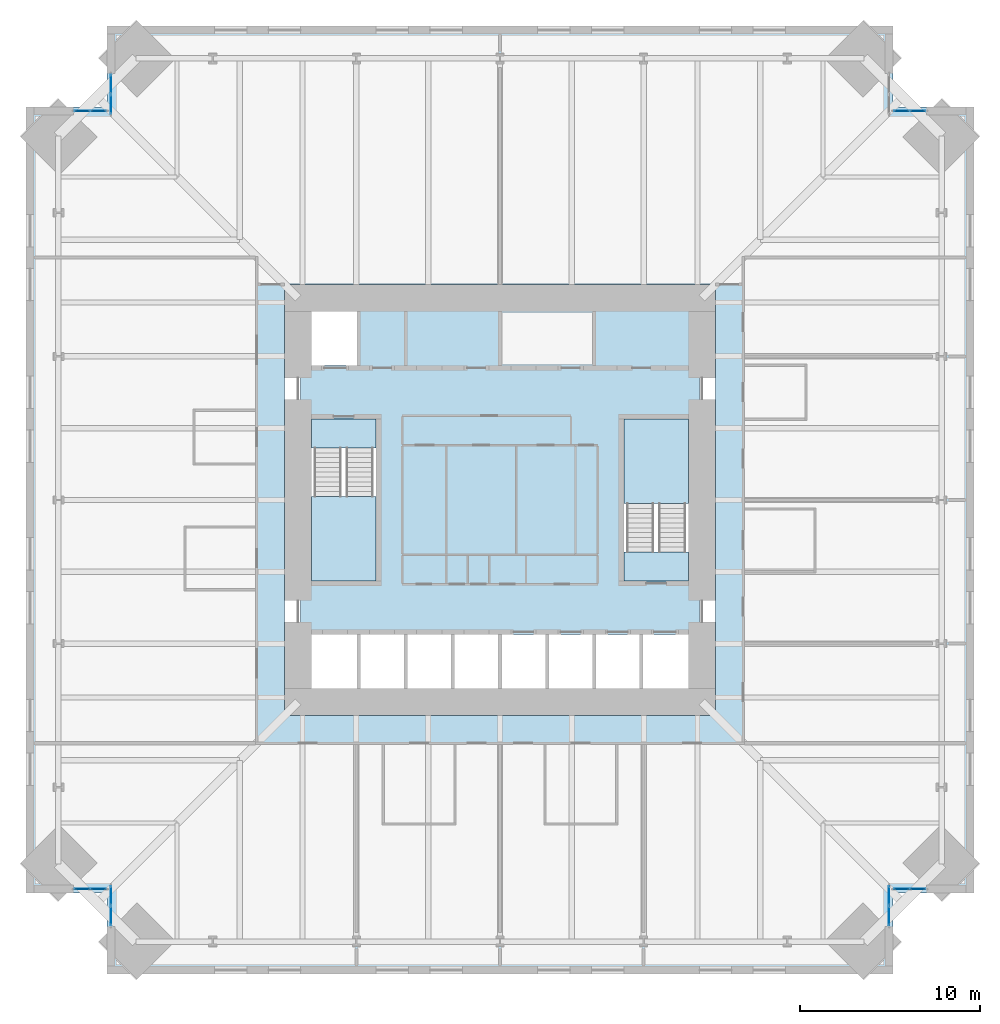
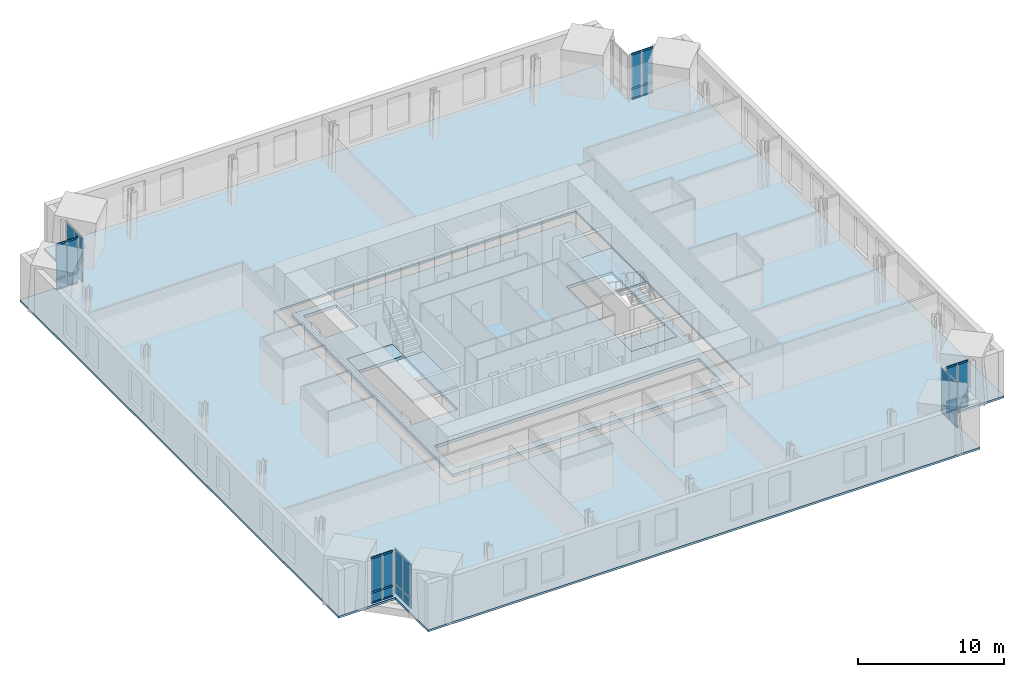
# One storey, part 12 of 18: 28 plates, 24 members, 6 slabs, 9 elements without a shape of their own.
"""IFC4 building model written with IfcOpenShell, lengths in metres."""

from ifc_helpers import new_model, si_unit, direction, frame, origin, origin_2d, place, context, subcontext, project, spatial, polyline, rectangle, hollow_rectangle, outline, extrude, material, layer, layer_set, material_profile, profile_set, type_object, element, aggregate, save


model = new_model("IFC4")

# Units and contexts
model_context = context("Model", 3, precision=1e-05, world=origin(), true_north=direction((0.0, 1.0)))
body_context = subcontext(model_context, "Body", "Model", "MODEL_VIEW")
ifc_project = project(units=[si_unit("LENGTHUNIT", "METRE"), si_unit("AREAUNIT", "SQUARE_METRE"), si_unit("VOLUMEUNIT", "CUBIC_METRE"), si_unit("PLANEANGLEUNIT", "RADIAN"), si_unit("MASSUNIT", "GRAM", prefix="KILO")], contexts=[model_context])

# Site, building, storey
site_placement = place(None, origin())
site = spatial("IfcSite", under=ifc_project, at=site_placement, CompositionType="ELEMENT")
building_placement = place(site_placement, origin())
building = spatial("IfcBuilding", under=site, at=building_placement, Name="Peilmerk Tower", CompositionType="ELEMENT")
storey_placement = place(building_placement, frame((0.0, 0.0, 155.800048828125)))
storey = spatial("IfcBuildingStorey", under=building, at=storey_placement, Name="L32", CompositionType="ELEMENT", Elevation=155.800048828125)

# Curtain wall, members
ifc_material_1 = material(Name="Aluminium stick curtain wall", Category="aluminium")
curtain_wall_type = type_object("IfcCurtainWallType", Name="CW3 stick curtain wall, 2250 module", PredefinedType="NOTDEFINED", material=ifc_material_1)
curtain_wall_1_placement = place(storey_placement, origin())
curtain_wall_1 = element("IfcCurtainWall", 1, at=curtain_wall_1_placement, inside=storey, type_object=curtain_wall_type, Name="Curtain wall CW3 NEB L32", PredefinedType="NOTDEFINED")
ifc_material_2 = material(Name="Aluminium EN AW-6063 T6", Category="aluminium")
ifc_material_profile = material_profile(ifc_material_2, hollow_rectangle(XDim=0.06494140625, YDim=0.14990234375, WallThickness=0.0029296875, at=origin_2d()), Name="AL 150x65x3")
ifc_profile_set = profile_set([ifc_material_profile], Name="Aluminium EN AW-6063 T6")
member_type = type_object("IfcMemberType", Name="CW3-T AL 150x65x3 transom", PredefinedType="USERDEFINED", material=ifc_profile_set)
member_1_placement = place(storey_placement, frame((21.965087890625, 21.675048828125, 0.032470703125), z_axis=(1.0, 0.0, 0.0), x_axis=(0.0, 1.0, 0.0)))
member_1 = element("IfcMember", 2, at=member_1_placement, type_object=member_type, Name="CW3 transom 1.1", ObjectType="TRANSOM", PredefinedType="USERDEFINED", context=body_context, shape_type="SweptSolid", body=[
    extrude(hollow_rectangle(XDim=0.06494140625, YDim=0.14990234375, WallThickness=0.0029296875, at=origin_2d()), origin(), (0.0, 0.0, 1.0), 0.82177734375),
])
member_2_placement = place(storey_placement, frame((21.965087890625, 21.675048828125, 0.89990234375), z_axis=(1.0, 0.0, 0.0), x_axis=(0.0, 1.0, 0.0)))
member_2 = element("IfcMember", 3, at=member_2_placement, type_object=member_type, Name="CW3 transom 1.2", ObjectType="TRANSOM", PredefinedType="USERDEFINED", context=body_context, shape_type="SweptSolid", body=[
    extrude(hollow_rectangle(XDim=0.06494140625, YDim=0.14990234375, WallThickness=0.0029296875, at=origin_2d()), origin(), (0.0, 0.0, 1.0), 0.82177734375),
])
member_3_placement = place(storey_placement, frame((21.965087890625, 21.675048828125, 3.79736328125), z_axis=(1.0, 0.0, 0.0), x_axis=(0.0, 1.0, 0.0)))
member_3 = element("IfcMember", 4, at=member_3_placement, type_object=member_type, Name="CW3 transom 1.3", ObjectType="TRANSOM", PredefinedType="USERDEFINED", context=body_context, shape_type="SweptSolid", body=[
    extrude(hollow_rectangle(XDim=0.06494140625, YDim=0.14990234375, WallThickness=0.0029296875, at=origin_2d()), origin(), (0.0, 0.0, 1.0), 0.82177734375),
])
member_4_placement = place(storey_placement, frame((22.851806640625, 21.675048828125, 0.032470703125), z_axis=(1.0, 0.0, 0.0), x_axis=(0.0, 1.0, 0.0)))
member_4 = element("IfcMember", 5, at=member_4_placement, type_object=member_type, Name="CW3 transom 2.1", ObjectType="TRANSOM", PredefinedType="USERDEFINED", context=body_context, shape_type="SweptSolid", body=[
    extrude(hollow_rectangle(XDim=0.06494140625, YDim=0.14990234375, WallThickness=0.0029296875, at=origin_2d()), origin(), (0.0, 0.0, 1.0), 0.82177734375),
])
member_5_placement = place(storey_placement, frame((22.851806640625, 21.675048828125, 0.89990234375), z_axis=(1.0, 0.0, 0.0), x_axis=(0.0, 1.0, 0.0)))
member_5 = element("IfcMember", 6, at=member_5_placement, type_object=member_type, Name="CW3 transom 2.2", ObjectType="TRANSOM", PredefinedType="USERDEFINED", context=body_context, shape_type="SweptSolid", body=[
    extrude(hollow_rectangle(XDim=0.06494140625, YDim=0.14990234375, WallThickness=0.0029296875, at=origin_2d()), origin(), (0.0, 0.0, 1.0), 0.82177734375),
])
member_6_placement = place(storey_placement, frame((22.851806640625, 21.675048828125, 3.79736328125), z_axis=(1.0, 0.0, 0.0), x_axis=(0.0, 1.0, 0.0)))
member_6 = element("IfcMember", 7, at=member_6_placement, type_object=member_type, Name="CW3 transom 2.3", ObjectType="TRANSOM", PredefinedType="USERDEFINED", context=body_context, shape_type="SweptSolid", body=[
    extrude(hollow_rectangle(XDim=0.06494140625, YDim=0.14990234375, WallThickness=0.0029296875, at=origin_2d()), origin(), (0.0, 0.0, 1.0), 0.82177734375),
])

curtain_wall_2_placement = place(storey_placement, origin())
curtain_wall_2 = element("IfcCurtainWall", 8, at=curtain_wall_2_placement, inside=storey, type_object=curtain_wall_type, Name="Curtain wall CW3 SEB L32", PredefinedType="NOTDEFINED")
member_7_placement = place(storey_placement, frame((21.965087890625, -21.675048828125, 0.032470703125), z_axis=(1.0, 0.0, 0.0), x_axis=(0.0, 1.0, 0.0)))
member_7 = element("IfcMember", 9, at=member_7_placement, type_object=member_type, Name="CW3 transom 1.1", ObjectType="TRANSOM", PredefinedType="USERDEFINED", context=body_context, shape_type="SweptSolid", body=[
    extrude(hollow_rectangle(XDim=0.06494140625, YDim=0.14990234375, WallThickness=0.0029296875, at=origin_2d()), origin(), (0.0, 0.0, 1.0), 0.82177734375),
])
member_8_placement = place(storey_placement, frame((21.965087890625, -21.675048828125, 0.89990234375), z_axis=(1.0, 0.0, 0.0), x_axis=(0.0, 1.0, 0.0)))
member_8 = element("IfcMember", 10, at=member_8_placement, type_object=member_type, Name="CW3 transom 1.2", ObjectType="TRANSOM", PredefinedType="USERDEFINED", context=body_context, shape_type="SweptSolid", body=[
    extrude(hollow_rectangle(XDim=0.06494140625, YDim=0.14990234375, WallThickness=0.0029296875, at=origin_2d()), origin(), (0.0, 0.0, 1.0), 0.82177734375),
])
member_9_placement = place(storey_placement, frame((21.965087890625, -21.675048828125, 3.79736328125), z_axis=(1.0, 0.0, 0.0), x_axis=(0.0, 1.0, 0.0)))
member_9 = element("IfcMember", 11, at=member_9_placement, type_object=member_type, Name="CW3 transom 1.3", ObjectType="TRANSOM", PredefinedType="USERDEFINED", context=body_context, shape_type="SweptSolid", body=[
    extrude(hollow_rectangle(XDim=0.06494140625, YDim=0.14990234375, WallThickness=0.0029296875, at=origin_2d()), origin(), (0.0, 0.0, 1.0), 0.82177734375),
])
member_10_placement = place(storey_placement, frame((22.851806640625, -21.675048828125, 0.032470703125), z_axis=(1.0, 0.0, 0.0), x_axis=(0.0, 1.0, 0.0)))
member_10 = element("IfcMember", 12, at=member_10_placement, type_object=member_type, Name="CW3 transom 2.1", ObjectType="TRANSOM", PredefinedType="USERDEFINED", context=body_context, shape_type="SweptSolid", body=[
    extrude(hollow_rectangle(XDim=0.06494140625, YDim=0.14990234375, WallThickness=0.0029296875, at=origin_2d()), origin(), (0.0, 0.0, 1.0), 0.82177734375),
])
member_11_placement = place(storey_placement, frame((22.851806640625, -21.675048828125, 0.89990234375), z_axis=(1.0, 0.0, 0.0), x_axis=(0.0, 1.0, 0.0)))
member_11 = element("IfcMember", 13, at=member_11_placement, type_object=member_type, Name="CW3 transom 2.2", ObjectType="TRANSOM", PredefinedType="USERDEFINED", context=body_context, shape_type="SweptSolid", body=[
    extrude(hollow_rectangle(XDim=0.06494140625, YDim=0.14990234375, WallThickness=0.0029296875, at=origin_2d()), origin(), (0.0, 0.0, 1.0), 0.82177734375),
])
member_12_placement = place(storey_placement, frame((22.851806640625, -21.675048828125, 3.79736328125), z_axis=(1.0, 0.0, 0.0), x_axis=(0.0, 1.0, 0.0)))
member_12 = element("IfcMember", 14, at=member_12_placement, type_object=member_type, Name="CW3 transom 2.3", ObjectType="TRANSOM", PredefinedType="USERDEFINED", context=body_context, shape_type="SweptSolid", body=[
    extrude(hollow_rectangle(XDim=0.06494140625, YDim=0.14990234375, WallThickness=0.0029296875, at=origin_2d()), origin(), (0.0, 0.0, 1.0), 0.82177734375),
])

curtain_wall_3_placement = place(storey_placement, origin())
curtain_wall_3 = element("IfcCurtainWall", 15, at=curtain_wall_3_placement, inside=storey, type_object=curtain_wall_type, Name="Curtain wall CW3 SWB L32", PredefinedType="NOTDEFINED")
member_13_placement = place(storey_placement, frame((-21.965087890625, -21.675048828125, 0.032470703125), z_axis=(-1.0, 0.0, 0.0), x_axis=(0.0, -1.0, 0.0)))
member_13 = element("IfcMember", 16, at=member_13_placement, type_object=member_type, Name="CW3 transom 1.1", ObjectType="TRANSOM", PredefinedType="USERDEFINED", context=body_context, shape_type="SweptSolid", body=[
    extrude(hollow_rectangle(XDim=0.06494140625, YDim=0.14990234375, WallThickness=0.0029296875, at=origin_2d()), origin(), (0.0, 0.0, 1.0), 0.82177734375),
])
member_14_placement = place(storey_placement, frame((-21.965087890625, -21.675048828125, 0.89990234375), z_axis=(-1.0, 0.0, 0.0), x_axis=(0.0, -1.0, 0.0)))
member_14 = element("IfcMember", 17, at=member_14_placement, type_object=member_type, Name="CW3 transom 1.2", ObjectType="TRANSOM", PredefinedType="USERDEFINED", context=body_context, shape_type="SweptSolid", body=[
    extrude(hollow_rectangle(XDim=0.06494140625, YDim=0.14990234375, WallThickness=0.0029296875, at=origin_2d()), origin(), (0.0, 0.0, 1.0), 0.82177734375),
])
member_15_placement = place(storey_placement, frame((-21.965087890625, -21.675048828125, 3.79736328125), z_axis=(-1.0, 0.0, 0.0), x_axis=(0.0, -1.0, 0.0)))
member_15 = element("IfcMember", 18, at=member_15_placement, type_object=member_type, Name="CW3 transom 1.3", ObjectType="TRANSOM", PredefinedType="USERDEFINED", context=body_context, shape_type="SweptSolid", body=[
    extrude(hollow_rectangle(XDim=0.06494140625, YDim=0.14990234375, WallThickness=0.0029296875, at=origin_2d()), origin(), (0.0, 0.0, 1.0), 0.82177734375),
])
member_16_placement = place(storey_placement, frame((-22.851806640625, -21.675048828125, 0.032470703125), z_axis=(-1.0, 0.0, 0.0), x_axis=(0.0, -1.0, 0.0)))
member_16 = element("IfcMember", 19, at=member_16_placement, type_object=member_type, Name="CW3 transom 2.1", ObjectType="TRANSOM", PredefinedType="USERDEFINED", context=body_context, shape_type="SweptSolid", body=[
    extrude(hollow_rectangle(XDim=0.06494140625, YDim=0.14990234375, WallThickness=0.0029296875, at=origin_2d()), origin(), (0.0, 0.0, 1.0), 0.82177734375),
])
member_17_placement = place(storey_placement, frame((-22.851806640625, -21.675048828125, 0.89990234375), z_axis=(-1.0, 0.0, 0.0), x_axis=(0.0, -1.0, 0.0)))
member_17 = element("IfcMember", 20, at=member_17_placement, type_object=member_type, Name="CW3 transom 2.2", ObjectType="TRANSOM", PredefinedType="USERDEFINED", context=body_context, shape_type="SweptSolid", body=[
    extrude(hollow_rectangle(XDim=0.06494140625, YDim=0.14990234375, WallThickness=0.0029296875, at=origin_2d()), origin(), (0.0, 0.0, 1.0), 0.82177734375),
])
member_18_placement = place(storey_placement, frame((-22.851806640625, -21.675048828125, 3.79736328125), z_axis=(-1.0, 0.0, 0.0), x_axis=(0.0, -1.0, 0.0)))
member_18 = element("IfcMember", 21, at=member_18_placement, type_object=member_type, Name="CW3 transom 2.3", ObjectType="TRANSOM", PredefinedType="USERDEFINED", context=body_context, shape_type="SweptSolid", body=[
    extrude(hollow_rectangle(XDim=0.06494140625, YDim=0.14990234375, WallThickness=0.0029296875, at=origin_2d()), origin(), (0.0, 0.0, 1.0), 0.82177734375),
])

curtain_wall_4_placement = place(storey_placement, origin())
curtain_wall_4 = element("IfcCurtainWall", 22, at=curtain_wall_4_placement, inside=storey, type_object=curtain_wall_type, Name="Curtain wall CW3 NWB L32", PredefinedType="NOTDEFINED")
member_19_placement = place(storey_placement, frame((-21.965087890625, 21.675048828125, 0.032470703125), z_axis=(-1.0, 0.0, 0.0), x_axis=(0.0, -1.0, 0.0)))
member_19 = element("IfcMember", 23, at=member_19_placement, type_object=member_type, Name="CW3 transom 1.1", ObjectType="TRANSOM", PredefinedType="USERDEFINED", context=body_context, shape_type="SweptSolid", body=[
    extrude(hollow_rectangle(XDim=0.06494140625, YDim=0.14990234375, WallThickness=0.0029296875, at=origin_2d()), origin(), (0.0, 0.0, 1.0), 0.82177734375),
])
member_20_placement = place(storey_placement, frame((-21.965087890625, 21.675048828125, 0.89990234375), z_axis=(-1.0, 0.0, 0.0), x_axis=(0.0, -1.0, 0.0)))
member_20 = element("IfcMember", 24, at=member_20_placement, type_object=member_type, Name="CW3 transom 1.2", ObjectType="TRANSOM", PredefinedType="USERDEFINED", context=body_context, shape_type="SweptSolid", body=[
    extrude(hollow_rectangle(XDim=0.06494140625, YDim=0.14990234375, WallThickness=0.0029296875, at=origin_2d()), origin(), (0.0, 0.0, 1.0), 0.82177734375),
])
member_21_placement = place(storey_placement, frame((-21.965087890625, 21.675048828125, 3.79736328125), z_axis=(-1.0, 0.0, 0.0), x_axis=(0.0, -1.0, 0.0)))
member_21 = element("IfcMember", 25, at=member_21_placement, type_object=member_type, Name="CW3 transom 1.3", ObjectType="TRANSOM", PredefinedType="USERDEFINED", context=body_context, shape_type="SweptSolid", body=[
    extrude(hollow_rectangle(XDim=0.06494140625, YDim=0.14990234375, WallThickness=0.0029296875, at=origin_2d()), origin(), (0.0, 0.0, 1.0), 0.82177734375),
])
member_22_placement = place(storey_placement, frame((-22.851806640625, 21.675048828125, 0.032470703125), z_axis=(-1.0, 0.0, 0.0), x_axis=(0.0, -1.0, 0.0)))
member_22 = element("IfcMember", 26, at=member_22_placement, type_object=member_type, Name="CW3 transom 2.1", ObjectType="TRANSOM", PredefinedType="USERDEFINED", context=body_context, shape_type="SweptSolid", body=[
    extrude(hollow_rectangle(XDim=0.06494140625, YDim=0.14990234375, WallThickness=0.0029296875, at=origin_2d()), origin(), (0.0, 0.0, 1.0), 0.82177734375),
])
member_23_placement = place(storey_placement, frame((-22.851806640625, 21.675048828125, 0.89990234375), z_axis=(-1.0, 0.0, 0.0), x_axis=(0.0, -1.0, 0.0)))
member_23 = element("IfcMember", 27, at=member_23_placement, type_object=member_type, Name="CW3 transom 2.2", ObjectType="TRANSOM", PredefinedType="USERDEFINED", context=body_context, shape_type="SweptSolid", body=[
    extrude(hollow_rectangle(XDim=0.06494140625, YDim=0.14990234375, WallThickness=0.0029296875, at=origin_2d()), origin(), (0.0, 0.0, 1.0), 0.82177734375),
])
member_24_placement = place(storey_placement, frame((-22.851806640625, 21.675048828125, 3.79736328125), z_axis=(-1.0, 0.0, 0.0), x_axis=(0.0, -1.0, 0.0)))
member_24 = element("IfcMember", 28, at=member_24_placement, type_object=member_type, Name="CW3 transom 2.3", ObjectType="TRANSOM", PredefinedType="USERDEFINED", context=body_context, shape_type="SweptSolid", body=[
    extrude(hollow_rectangle(XDim=0.06494140625, YDim=0.14990234375, WallThickness=0.0029296875, at=origin_2d()), origin(), (0.0, 0.0, 1.0), 0.82177734375),
])

# Slab
ifc_material_3 = material(Name="Concrete C55/67", Category="concrete")
ifc_layer_1 = layer(ifc_material_3, 0.25)
ifc_layer_set_1 = layer_set([ifc_layer_1], Name="Concrete C55/67")
slab_type_1 = type_object("IfcSlabType", Name="CS250 250 core floor slab", PredefinedType="FLOOR", material=ifc_layer_set_1)
slab_1_placement = place(storey_placement, frame((0.0, 0.0, -0.25)))
element("IfcSlab", 29, at=slab_1_placement, inside=storey, type_object=slab_type_1, Name="Core slab L32", PredefinedType="FLOOR", context=body_context, shape_type="SweptSolid", body=[
    extrude(outline(polyline([(11.10009765625, 11.10009765625), (-11.10009765625, 11.10009765625), (-11.10009765625, -11.10009765625), (11.10009765625, -11.10009765625), (11.10009765625, 11.10009765625)]), holes=[polyline([(-10.5, 7.5), (-10.5, 10.5), (-7.875, 10.5), (-7.875, 7.5), (-10.5, 7.5)]), polyline([(-10.5, -10.5), (-10.5, -7.5), (10.5, -7.5), (10.5, -10.5), (-10.5, -10.5)]), polyline([(-10.5, 4.5), (-6.89990234375, 4.5), (-6.89990234375, -4.5), (-10.5, -4.5), (-10.5, 4.5)]), polyline([(10.5, 4.5), (10.5, -4.5), (6.89990234375, -4.5), (6.89990234375, 4.5), (10.5, 4.5)])]), origin(), (0.0, 0.0, 1.0), 0.25),
])

# Plate
ifc_material_4 = material(Name="Clear insulated glazing unit", Category="glass")
ifc_layer_2 = layer(ifc_material_4, 0.028076171875)
ifc_layer_set_2 = layer_set([ifc_layer_2], Name="Clear insulated glazing unit")
plate_type = type_object("IfcPlateType", Name="CW3-P 28 glazed panel", PredefinedType="CURTAIN_PANEL", material=ifc_layer_set_2)
plate_1_placement = place(storey_placement, frame((22.3759765625, 21.675048828125, 0.06494140625), z_axis=(0.0, 0.0, 1.0), x_axis=(1.0, 0.0, 0.0)))
plate_1 = element("IfcPlate", 30, at=plate_1_placement, type_object=plate_type, Name="CW3 panel 1.1", PredefinedType="CURTAIN_PANEL", context=body_context, shape_type="SweptSolid", body=[
    extrude(rectangle(XDim=0.82177734375, YDim=0.028076171875, at=origin_2d()), origin(), (0.0, 0.0, 1.0), 0.802490234375),
])

plate_2_placement = place(storey_placement, frame((22.3759765625, 21.675048828125, 0.932373046875), z_axis=(0.0, 0.0, 1.0), x_axis=(1.0, 0.0, 0.0)))
plate_2 = element("IfcPlate", 31, at=plate_2_placement, type_object=plate_type, Name="CW3 panel 1.2", PredefinedType="CURTAIN_PANEL", context=body_context, shape_type="SweptSolid", body=[
    extrude(rectangle(XDim=0.82177734375, YDim=0.028076171875, at=origin_2d()), origin(), (0.0, 0.0, 1.0), 2.83251953125),
])

plate_3_placement = place(storey_placement, frame((23.2626953125, 21.675048828125, 0.06494140625), z_axis=(0.0, 0.0, 1.0), x_axis=(1.0, 0.0, 0.0)))
plate_3 = element("IfcPlate", 32, at=plate_3_placement, type_object=plate_type, Name="CW3 panel 2.1", PredefinedType="CURTAIN_PANEL", context=body_context, shape_type="SweptSolid", body=[
    extrude(rectangle(XDim=0.82177734375, YDim=0.028076171875, at=origin_2d()), origin(), (0.0, 0.0, 1.0), 0.802490234375),
])

plate_4_placement = place(storey_placement, frame((23.2626953125, 21.675048828125, 0.932373046875), z_axis=(0.0, 0.0, 1.0), x_axis=(1.0, 0.0, 0.0)))
plate_4 = element("IfcPlate", 33, at=plate_4_placement, type_object=plate_type, Name="CW3 panel 2.2", PredefinedType="CURTAIN_PANEL", context=body_context, shape_type="SweptSolid", body=[
    extrude(rectangle(XDim=0.82177734375, YDim=0.028076171875, at=origin_2d()), origin(), (0.0, 0.0, 1.0), 2.83251953125),
])

aggregate(curtain_wall_1, [member_1, member_2, member_3, plate_1, plate_2, member_4, member_5, member_6, plate_3, plate_4])

# Curtain wall, plates
curtain_wall_5_placement = place(storey_placement, origin())
curtain_wall_5 = element("IfcCurtainWall", 34, at=curtain_wall_5_placement, inside=storey, type_object=curtain_wall_type, Name="Curtain wall CW3 SEA L32", PredefinedType="NOTDEFINED")
plate_5_placement = place(storey_placement, frame((21.675048828125, -22.038330078125, 0.06494140625), z_axis=(0.0, 0.0, 1.0), x_axis=(0.0, -1.0, 0.0)))
plate_5 = element("IfcPlate", 35, at=plate_5_placement, type_object=plate_type, Name="CW3 panel 1.1", PredefinedType="CURTAIN_PANEL", context=body_context, shape_type="SweptSolid", body=[
    extrude(rectangle(XDim=1.046875, YDim=0.028076171875, at=origin_2d()), origin(), (0.0, 0.0, 1.0), 0.802490234375),
])
plate_6_placement = place(storey_placement, frame((21.675048828125, -22.038330078125, 0.932373046875), z_axis=(0.0, 0.0, 1.0), x_axis=(0.0, -1.0, 0.0)))
plate_6 = element("IfcPlate", 36, at=plate_6_placement, type_object=plate_type, Name="CW3 panel 1.2", PredefinedType="CURTAIN_PANEL", context=body_context, shape_type="SweptSolid", body=[
    extrude(rectangle(XDim=1.046875, YDim=0.028076171875, at=origin_2d()), origin(), (0.0, 0.0, 1.0), 2.83251953125),
])
plate_7_placement = place(storey_placement, frame((21.675048828125, -23.150146484375, 0.06494140625), z_axis=(0.0, 0.0, 1.0), x_axis=(0.0, -1.0, 0.0)))
plate_7 = element("IfcPlate", 37, at=plate_7_placement, type_object=plate_type, Name="CW3 panel 2.1", PredefinedType="CURTAIN_PANEL", context=body_context, shape_type="SweptSolid", body=[
    extrude(rectangle(XDim=1.046875, YDim=0.028076171875, at=origin_2d()), origin(), (0.0, 0.0, 1.0), 0.802490234375),
])
plate_8_placement = place(storey_placement, frame((21.675048828125, -23.150146484375, 0.932373046875), z_axis=(0.0, 0.0, 1.0), x_axis=(0.0, -1.0, 0.0)))
plate_8 = element("IfcPlate", 38, at=plate_8_placement, type_object=plate_type, Name="CW3 panel 2.2", PredefinedType="CURTAIN_PANEL", context=body_context, shape_type="SweptSolid", body=[
    extrude(rectangle(XDim=1.046875, YDim=0.028076171875, at=origin_2d()), origin(), (0.0, 0.0, 1.0), 2.83251953125),
])
aggregate(curtain_wall_5, [plate_5, plate_6, plate_7, plate_8])

# Plate
plate_9_placement = place(storey_placement, frame((22.3759765625, -21.675048828125, 0.06494140625), z_axis=(0.0, 0.0, 1.0), x_axis=(1.0, 0.0, 0.0)))
plate_9 = element("IfcPlate", 39, at=plate_9_placement, type_object=plate_type, Name="CW3 panel 1.1", PredefinedType="CURTAIN_PANEL", context=body_context, shape_type="SweptSolid", body=[
    extrude(rectangle(XDim=0.82177734375, YDim=0.028076171875, at=origin_2d()), origin(), (0.0, 0.0, 1.0), 0.802490234375),
])

plate_10_placement = place(storey_placement, frame((22.3759765625, -21.675048828125, 0.932373046875), z_axis=(0.0, 0.0, 1.0), x_axis=(1.0, 0.0, 0.0)))
plate_10 = element("IfcPlate", 40, at=plate_10_placement, type_object=plate_type, Name="CW3 panel 1.2", PredefinedType="CURTAIN_PANEL", context=body_context, shape_type="SweptSolid", body=[
    extrude(rectangle(XDim=0.82177734375, YDim=0.028076171875, at=origin_2d()), origin(), (0.0, 0.0, 1.0), 2.83251953125),
])

plate_11_placement = place(storey_placement, frame((23.2626953125, -21.675048828125, 0.06494140625), z_axis=(0.0, 0.0, 1.0), x_axis=(1.0, 0.0, 0.0)))
plate_11 = element("IfcPlate", 41, at=plate_11_placement, type_object=plate_type, Name="CW3 panel 2.1", PredefinedType="CURTAIN_PANEL", context=body_context, shape_type="SweptSolid", body=[
    extrude(rectangle(XDim=0.82177734375, YDim=0.028076171875, at=origin_2d()), origin(), (0.0, 0.0, 1.0), 0.802490234375),
])

plate_12_placement = place(storey_placement, frame((23.2626953125, -21.675048828125, 0.932373046875), z_axis=(0.0, 0.0, 1.0), x_axis=(1.0, 0.0, 0.0)))
plate_12 = element("IfcPlate", 42, at=plate_12_placement, type_object=plate_type, Name="CW3 panel 2.2", PredefinedType="CURTAIN_PANEL", context=body_context, shape_type="SweptSolid", body=[
    extrude(rectangle(XDim=0.82177734375, YDim=0.028076171875, at=origin_2d()), origin(), (0.0, 0.0, 1.0), 2.83251953125),
])

aggregate(curtain_wall_2, [member_7, member_8, member_9, plate_9, plate_10, member_10, member_11, member_12, plate_11, plate_12])

# Curtain wall, plates
curtain_wall_6_placement = place(storey_placement, origin())
curtain_wall_6 = element("IfcCurtainWall", 43, at=curtain_wall_6_placement, inside=storey, type_object=curtain_wall_type, Name="Curtain wall CW3 SWA L32", PredefinedType="NOTDEFINED")
plate_13_placement = place(storey_placement, frame((-21.675048828125, -22.038330078125, 0.06494140625), z_axis=(0.0, 0.0, 1.0), x_axis=(0.0, -1.0, 0.0)))
plate_13 = element("IfcPlate", 44, at=plate_13_placement, type_object=plate_type, Name="CW3 panel 1.1", PredefinedType="CURTAIN_PANEL", context=body_context, shape_type="SweptSolid", body=[
    extrude(rectangle(XDim=1.046875, YDim=0.028076171875, at=origin_2d()), origin(), (0.0, 0.0, 1.0), 0.802490234375),
])
plate_14_placement = place(storey_placement, frame((-21.675048828125, -22.038330078125, 0.932373046875), z_axis=(0.0, 0.0, 1.0), x_axis=(0.0, -1.0, 0.0)))
plate_14 = element("IfcPlate", 45, at=plate_14_placement, type_object=plate_type, Name="CW3 panel 1.2", PredefinedType="CURTAIN_PANEL", context=body_context, shape_type="SweptSolid", body=[
    extrude(rectangle(XDim=1.046875, YDim=0.028076171875, at=origin_2d()), origin(), (0.0, 0.0, 1.0), 2.83251953125),
])
plate_15_placement = place(storey_placement, frame((-21.675048828125, -23.150146484375, 0.06494140625), z_axis=(0.0, 0.0, 1.0), x_axis=(0.0, -1.0, 0.0)))
plate_15 = element("IfcPlate", 46, at=plate_15_placement, type_object=plate_type, Name="CW3 panel 2.1", PredefinedType="CURTAIN_PANEL", context=body_context, shape_type="SweptSolid", body=[
    extrude(rectangle(XDim=1.046875, YDim=0.028076171875, at=origin_2d()), origin(), (0.0, 0.0, 1.0), 0.802490234375),
])
plate_16_placement = place(storey_placement, frame((-21.675048828125, -23.150146484375, 0.932373046875), z_axis=(0.0, 0.0, 1.0), x_axis=(0.0, -1.0, 0.0)))
plate_16 = element("IfcPlate", 47, at=plate_16_placement, type_object=plate_type, Name="CW3 panel 2.2", PredefinedType="CURTAIN_PANEL", context=body_context, shape_type="SweptSolid", body=[
    extrude(rectangle(XDim=1.046875, YDim=0.028076171875, at=origin_2d()), origin(), (0.0, 0.0, 1.0), 2.83251953125),
])
aggregate(curtain_wall_6, [plate_13, plate_14, plate_15, plate_16])

# Plate
plate_17_placement = place(storey_placement, frame((-22.3759765625, -21.675048828125, 0.06494140625), z_axis=(0.0, 0.0, 1.0), x_axis=(-1.0, 0.0, 0.0)))
plate_17 = element("IfcPlate", 48, at=plate_17_placement, type_object=plate_type, Name="CW3 panel 1.1", PredefinedType="CURTAIN_PANEL", context=body_context, shape_type="SweptSolid", body=[
    extrude(rectangle(XDim=0.82177734375, YDim=0.028076171875, at=origin_2d()), origin(), (0.0, 0.0, 1.0), 0.802490234375),
])

plate_18_placement = place(storey_placement, frame((-22.3759765625, -21.675048828125, 0.932373046875), z_axis=(0.0, 0.0, 1.0), x_axis=(-1.0, 0.0, 0.0)))
plate_18 = element("IfcPlate", 49, at=plate_18_placement, type_object=plate_type, Name="CW3 panel 1.2", PredefinedType="CURTAIN_PANEL", context=body_context, shape_type="SweptSolid", body=[
    extrude(rectangle(XDim=0.82177734375, YDim=0.028076171875, at=origin_2d()), origin(), (0.0, 0.0, 1.0), 2.83251953125),
])

plate_19_placement = place(storey_placement, frame((-23.2626953125, -21.675048828125, 0.06494140625), z_axis=(0.0, 0.0, 1.0), x_axis=(-1.0, 0.0, 0.0)))
plate_19 = element("IfcPlate", 50, at=plate_19_placement, type_object=plate_type, Name="CW3 panel 2.1", PredefinedType="CURTAIN_PANEL", context=body_context, shape_type="SweptSolid", body=[
    extrude(rectangle(XDim=0.82177734375, YDim=0.028076171875, at=origin_2d()), origin(), (0.0, 0.0, 1.0), 0.802490234375),
])

plate_20_placement = place(storey_placement, frame((-23.2626953125, -21.675048828125, 0.932373046875), z_axis=(0.0, 0.0, 1.0), x_axis=(-1.0, 0.0, 0.0)))
plate_20 = element("IfcPlate", 51, at=plate_20_placement, type_object=plate_type, Name="CW3 panel 2.2", PredefinedType="CURTAIN_PANEL", context=body_context, shape_type="SweptSolid", body=[
    extrude(rectangle(XDim=0.82177734375, YDim=0.028076171875, at=origin_2d()), origin(), (0.0, 0.0, 1.0), 2.83251953125),
])

aggregate(curtain_wall_3, [member_13, member_14, member_15, plate_17, plate_18, member_16, member_17, member_18, plate_19, plate_20])

# Curtain wall, plates
curtain_wall_7_placement = place(storey_placement, origin())
curtain_wall_7 = element("IfcCurtainWall", 52, at=curtain_wall_7_placement, inside=storey, type_object=curtain_wall_type, Name="Curtain wall CW3 NWA L32", PredefinedType="NOTDEFINED")
plate_21_placement = place(storey_placement, frame((-21.675048828125, 22.038330078125, 0.06494140625), z_axis=(0.0, 0.0, 1.0), x_axis=(0.0, 1.0, 0.0)))
plate_21 = element("IfcPlate", 53, at=plate_21_placement, type_object=plate_type, Name="CW3 panel 1.1", PredefinedType="CURTAIN_PANEL", context=body_context, shape_type="SweptSolid", body=[
    extrude(rectangle(XDim=1.046875, YDim=0.028076171875, at=origin_2d()), origin(), (0.0, 0.0, 1.0), 0.802490234375),
])
plate_22_placement = place(storey_placement, frame((-21.675048828125, 22.038330078125, 0.932373046875), z_axis=(0.0, 0.0, 1.0), x_axis=(0.0, 1.0, 0.0)))
plate_22 = element("IfcPlate", 54, at=plate_22_placement, type_object=plate_type, Name="CW3 panel 1.2", PredefinedType="CURTAIN_PANEL", context=body_context, shape_type="SweptSolid", body=[
    extrude(rectangle(XDim=1.046875, YDim=0.028076171875, at=origin_2d()), origin(), (0.0, 0.0, 1.0), 2.83251953125),
])
plate_23_placement = place(storey_placement, frame((-21.675048828125, 23.150146484375, 0.06494140625), z_axis=(0.0, 0.0, 1.0), x_axis=(0.0, 1.0, 0.0)))
plate_23 = element("IfcPlate", 55, at=plate_23_placement, type_object=plate_type, Name="CW3 panel 2.1", PredefinedType="CURTAIN_PANEL", context=body_context, shape_type="SweptSolid", body=[
    extrude(rectangle(XDim=1.046875, YDim=0.028076171875, at=origin_2d()), origin(), (0.0, 0.0, 1.0), 0.802490234375),
])
plate_24_placement = place(storey_placement, frame((-21.675048828125, 23.150146484375, 0.932373046875), z_axis=(0.0, 0.0, 1.0), x_axis=(0.0, 1.0, 0.0)))
plate_24 = element("IfcPlate", 56, at=plate_24_placement, type_object=plate_type, Name="CW3 panel 2.2", PredefinedType="CURTAIN_PANEL", context=body_context, shape_type="SweptSolid", body=[
    extrude(rectangle(XDim=1.046875, YDim=0.028076171875, at=origin_2d()), origin(), (0.0, 0.0, 1.0), 2.83251953125),
])
aggregate(curtain_wall_7, [plate_21, plate_22, plate_23, plate_24])

# Plate
plate_25_placement = place(storey_placement, frame((-22.3759765625, 21.675048828125, 0.06494140625), z_axis=(0.0, 0.0, 1.0), x_axis=(-1.0, 0.0, 0.0)))
plate_25 = element("IfcPlate", 57, at=plate_25_placement, type_object=plate_type, Name="CW3 panel 1.1", PredefinedType="CURTAIN_PANEL", context=body_context, shape_type="SweptSolid", body=[
    extrude(rectangle(XDim=0.82177734375, YDim=0.028076171875, at=origin_2d()), origin(), (0.0, 0.0, 1.0), 0.802490234375),
])

plate_26_placement = place(storey_placement, frame((-22.3759765625, 21.675048828125, 0.932373046875), z_axis=(0.0, 0.0, 1.0), x_axis=(-1.0, 0.0, 0.0)))
plate_26 = element("IfcPlate", 58, at=plate_26_placement, type_object=plate_type, Name="CW3 panel 1.2", PredefinedType="CURTAIN_PANEL", context=body_context, shape_type="SweptSolid", body=[
    extrude(rectangle(XDim=0.82177734375, YDim=0.028076171875, at=origin_2d()), origin(), (0.0, 0.0, 1.0), 2.83251953125),
])

plate_27_placement = place(storey_placement, frame((-23.2626953125, 21.675048828125, 0.06494140625), z_axis=(0.0, 0.0, 1.0), x_axis=(-1.0, 0.0, 0.0)))
plate_27 = element("IfcPlate", 59, at=plate_27_placement, type_object=plate_type, Name="CW3 panel 2.1", PredefinedType="CURTAIN_PANEL", context=body_context, shape_type="SweptSolid", body=[
    extrude(rectangle(XDim=0.82177734375, YDim=0.028076171875, at=origin_2d()), origin(), (0.0, 0.0, 1.0), 0.802490234375),
])

plate_28_placement = place(storey_placement, frame((-23.2626953125, 21.675048828125, 0.932373046875), z_axis=(0.0, 0.0, 1.0), x_axis=(-1.0, 0.0, 0.0)))
plate_28 = element("IfcPlate", 60, at=plate_28_placement, type_object=plate_type, Name="CW3 panel 2.2", PredefinedType="CURTAIN_PANEL", context=body_context, shape_type="SweptSolid", body=[
    extrude(rectangle(XDim=0.82177734375, YDim=0.028076171875, at=origin_2d()), origin(), (0.0, 0.0, 1.0), 2.83251953125),
])

aggregate(curtain_wall_4, [member_19, member_20, member_21, plate_25, plate_26, member_22, member_23, member_24, plate_27, plate_28])

# Slab
ifc_material_5 = material(Name="Concrete C35/45", Category="concrete")
ifc_layer_3 = layer(ifc_material_5, 0.169921875)
ifc_layer_set_3 = layer_set([ifc_layer_3], Name="Concrete C35/45")
slab_type_2 = type_object("IfcSlabType", Name="FS170 170 composite floor slab", PredefinedType="FLOOR", material=ifc_layer_set_3)
slab_2_placement = place(storey_placement, frame((0.0, 0.0, -0.170166015625)))
element("IfcSlab", 61, at=slab_2_placement, inside=storey, type_object=slab_type_2, Name="Floor slab L32", PredefinedType="FLOOR", context=body_context, shape_type="SweptSolid", body=[
    extrude(outline(polyline([(-21.89990234375, -26.39990234375), (21.89990234375, -26.39990234375), (21.89990234375, -21.89990234375), (26.39990234375, -21.89990234375), (26.39990234375, 21.89990234375), (21.89990234375, 21.89990234375), (21.89990234375, 26.39990234375), (-21.89990234375, 26.39990234375), (-21.89990234375, 21.89990234375), (-26.39990234375, 21.89990234375), (-26.39990234375, -21.89990234375), (-21.89990234375, -21.89990234375), (-21.89990234375, -26.39990234375)]), holes=[polyline([(12.0, 12.0), (12.0, -12.0), (-12.0, -12.0), (-12.0, 12.0), (12.0, 12.0)])]), origin(), (0.0, 0.0, 1.0), 0.170166015625),
])

# Stair, slab
ifc_material_6 = material(Name="Precast concrete C45/55", Category="concrete")
stair_type_1 = type_object("IfcStairType", Name="ST1 22 risers of 181.8", PredefinedType="HALF_TURN_STAIR", material=ifc_material_6)
stair_1_placement = place(storey_placement, origin())
stair_1 = element("IfcStair", 62, at=stair_1_placement, inside=storey, type_object=stair_type_1, Name="Stair 1 L32 to L33", PredefinedType="HALF_TURN_STAIR")
ifc_layer_4 = layer(ifc_material_5, 0.199951171875)
ifc_layer_set_4 = layer_set([ifc_layer_4], Name="Concrete C35/45")
slab_type_3 = type_object("IfcSlabType", Name="SL1 200 concrete stair landing", PredefinedType="LANDING", material=ifc_layer_set_4)
slab_3_placement = place(storey_placement, frame((0.0, 0.0, 1.800048828125)))
slab_3 = element("IfcSlab", 63, at=slab_3_placement, type_object=slab_type_3, Name="ST1 landing 1", PredefinedType="LANDING", context=body_context, shape_type="SweptSolid", body=[
    extrude(outline(polyline([(-10.5, -4.5), (-6.89990234375, -4.5), (-6.89990234375, 0.199951171875), (-10.5, 0.199951171875), (-10.5, -4.5)])), origin(), (0.0, 0.0, 1.0), 0.199951171875),
])

stair_type_2 = type_object("IfcStairType", Name="ST2 22 risers of 181.8", PredefinedType="HALF_TURN_STAIR", material=ifc_material_6)
stair_2_placement = place(storey_placement, origin())
stair_2 = element("IfcStair", 64, at=stair_2_placement, inside=storey, type_object=stair_type_2, Name="Stair 2 L32 to L33", PredefinedType="HALF_TURN_STAIR")
slab_4_placement = place(storey_placement, frame((0.0, 0.0, 1.800048828125)))
slab_4 = element("IfcSlab", 65, at=slab_4_placement, type_object=slab_type_3, Name="ST2 landing 1", PredefinedType="LANDING", context=body_context, shape_type="SweptSolid", body=[
    extrude(outline(polyline([(6.89990234375, -0.199951171875), (10.5, -0.199951171875), (10.5, 4.5), (6.89990234375, 4.5), (6.89990234375, -0.199951171875)])), origin(), (0.0, 0.0, 1.0), 0.199951171875),
])

# Slab
ifc_layer_5 = layer(ifc_material_5, 0.25)
ifc_layer_set_5 = layer_set([ifc_layer_5], Name="Concrete C35/45")
slab_type_4 = type_object("IfcSlabType", Name="SL2 250 concrete floor landing", PredefinedType="LANDING", material=ifc_layer_set_5)
slab_5_placement = place(storey_placement, frame((0.0, 0.0, -0.25)))
slab_5 = element("IfcSlab", 66, at=slab_5_placement, type_object=slab_type_4, Name="ST1 floor landing", PredefinedType="LANDING", context=body_context, shape_type="SweptSolid", body=[
    extrude(outline(polyline([(-10.5, 2.89990234375), (-6.89990234375, 2.89990234375), (-6.89990234375, 4.5), (-10.5, 4.5), (-10.5, 2.89990234375)])), origin(), (0.0, 0.0, 1.0), 0.25),
])

aggregate(stair_1, [slab_3, slab_5])

slab_6_placement = place(storey_placement, frame((0.0, 0.0, -0.25)))
slab_6 = element("IfcSlab", 67, at=slab_6_placement, type_object=slab_type_4, Name="ST2 floor landing", PredefinedType="LANDING", context=body_context, shape_type="SweptSolid", body=[
    extrude(outline(polyline([(6.89990234375, -4.5), (10.5, -4.5), (10.5, -2.89990234375), (6.89990234375, -2.89990234375), (6.89990234375, -4.5)])), origin(), (0.0, 0.0, 1.0), 0.25),
])

aggregate(stair_2, [slab_4, slab_6])

save(model, "model.ifc")
